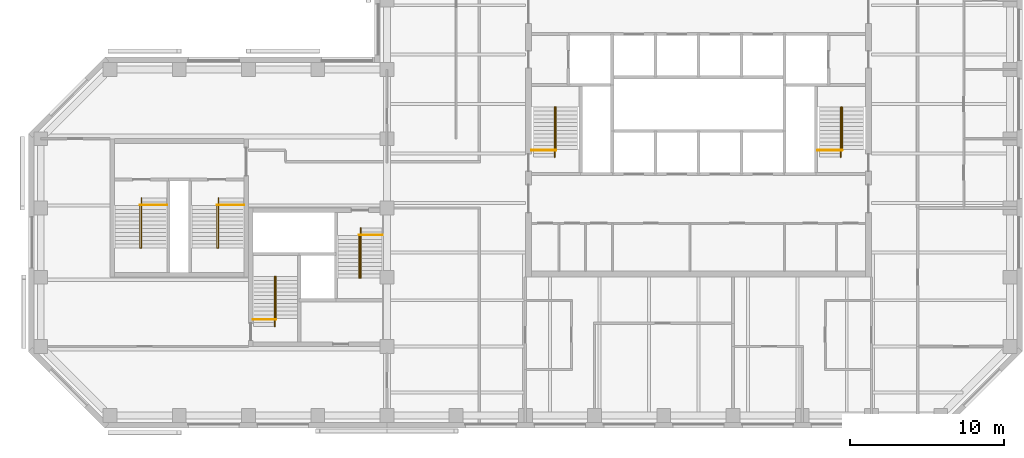
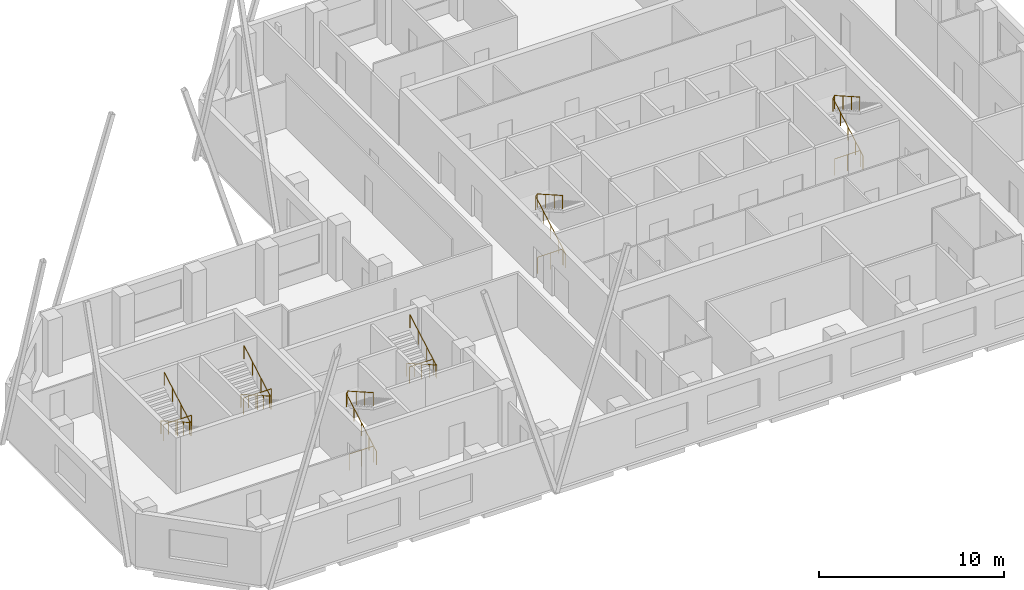
# One storey, part 9 of 9: 12 railings.
"""IFC4 building model written with IfcOpenShell, lengths in metres."""

from ifc_helpers import new_model, si_unit, direction, frame, origin, origin_2d, place, context, subcontext, project, spatial, circle, extrude, material, type_object, element, save


model = new_model("IFC4")

# Units and contexts
model_context = context("Model", 3, precision=1e-05, world=origin(), true_north=direction((0.0, 1.0)))
body_context = subcontext(model_context, "Body", "Model", "MODEL_VIEW")
ifc_project = project(units=[si_unit("LENGTHUNIT", "METRE"), si_unit("AREAUNIT", "SQUARE_METRE"), si_unit("VOLUMEUNIT", "CUBIC_METRE"), si_unit("PLANEANGLEUNIT", "RADIAN"), si_unit("MASSUNIT", "GRAM", prefix="KILO")], contexts=[model_context])

# Site, building, storey
site_placement = place(None, origin())
site = spatial("IfcSite", under=ifc_project, at=site_placement, CompositionType="ELEMENT")
building_placement = place(site_placement, origin())
building = spatial("IfcBuilding", under=site, at=building_placement, Name="Quoin Convention Tower", CompositionType="ELEMENT")
storey_placement = place(building_placement, frame((0.0, 0.0, 219.300048828125)))
storey = spatial("IfcBuildingStorey", under=building, at=storey_placement, Name="L57", CompositionType="ELEMENT", Elevation=219.300048828125)

# Railings
ifc_material = material(Name="Stainless steel", Category="steel")
railing_type_1 = type_object("IfcRailingType", Name="Stair handrail 900", PredefinedType="HANDRAIL", material=ifc_material)
railing_1_placement = place(storey_placement, frame((46.905029296875, 57.300048828125, 0.142333984375)))
element("IfcRailing", 1, at=railing_1_placement, inside=storey, type_object=railing_type_1, Name="SD1 handrail 1", PredefinedType="HANDRAIL", context=body_context, shape_type="SweptSolid", body=[
    extrude(circle(Radius=0.02392578125, at=origin_2d()), frame((0.0, 0.0, 0.8759765625), z_axis=(0.0, 0.869081571614, 0.494668800189), x_axis=(-1.0, 0.0, 0.0)), (0.0, 0.0, 1.0), 3.739501953125),
    extrude(circle(Radius=0.02392578125, at=origin_2d()), frame((0.0, 3.25, 2.7255859375), z_axis=(0.53481069233, 0.0, 0.844971906852), x_axis=(0.0, 1.0, 0.0)), (0.0, 0.0, 1.0), 0.16845703125),
    extrude(circle(Radius=0.02392578125, at=origin_2d()), frame((0.090087890625, 3.25, 2.8681640625), z_axis=(0.0, -0.869058607571, 0.494709143443), x_axis=(1.0, 0.0, 0.0)), (0.0, 0.0, 1.0), 3.164306640625),
    extrude(circle(Radius=0.02099609375, at=origin_2d()), origin(), (0.0, 0.0, 1.0), 0.851806640625),
    extrude(circle(Radius=0.02099609375, at=origin_2d()), frame((0.0, 0.8125, 0.46240234375)), (0.0, 0.0, 1.0), 0.851806640625),
    extrude(circle(Radius=0.02099609375, at=origin_2d()), frame((0.0, 1.625, 0.9248046875)), (0.0, 0.0, 1.0), 0.851806640625),
    extrude(circle(Radius=0.02099609375, at=origin_2d()), frame((0.0, 2.4375, 1.387451171875)), (0.0, 0.0, 1.0), 0.851806640625),
    extrude(circle(Radius=0.02099609375, at=origin_2d()), frame((0.0, 3.25, 1.849853515625)), (0.0, 0.0, 1.0), 0.851806640625),
    extrude(circle(Radius=0.02099609375, at=origin_2d()), frame((0.090087890625, 3.25, 1.9921875)), (0.0, 0.0, 1.0), 0.851806640625),
    extrude(circle(Radius=0.02099609375, at=origin_2d()), frame((0.090087890625, 2.333251953125, 2.513916015625)), (0.0, 0.0, 1.0), 0.851806640625),
    extrude(circle(Radius=0.02099609375, at=origin_2d()), frame((0.090087890625, 1.416748046875, 3.035888671875)), (0.0, 0.0, 1.0), 0.851806640625),
    extrude(circle(Radius=0.02099609375, at=origin_2d()), frame((0.090087890625, 0.5, 3.5576171875)), (0.0, 0.0, 1.0), 0.851806640625),
])
railing_2_placement = place(storey_placement, frame((65.5048828125, 57.300048828125, 0.142333984375)))
element("IfcRailing", 2, at=railing_2_placement, inside=storey, type_object=railing_type_1, Name="SD2 handrail 1", PredefinedType="HANDRAIL", context=body_context, shape_type="SweptSolid", body=[
    extrude(circle(Radius=0.02392578125, at=origin_2d()), frame((0.0, 0.0, 0.8759765625), z_axis=(0.0, 0.869081571614, 0.494668800189), x_axis=(-1.0, 0.0, 0.0)), (0.0, 0.0, 1.0), 3.739501953125),
    extrude(circle(Radius=0.02392578125, at=origin_2d()), frame((0.0, 3.25, 2.7255859375), z_axis=(0.53481069233, 0.0, 0.844971906852), x_axis=(0.0, 1.0, 0.0)), (0.0, 0.0, 1.0), 0.16845703125),
    extrude(circle(Radius=0.02392578125, at=origin_2d()), frame((0.090087890625, 3.25, 2.8681640625), z_axis=(0.0, -0.869058607571, 0.494709143443), x_axis=(1.0, 0.0, 0.0)), (0.0, 0.0, 1.0), 3.164306640625),
    extrude(circle(Radius=0.02099609375, at=origin_2d()), origin(), (0.0, 0.0, 1.0), 0.851806640625),
    extrude(circle(Radius=0.02099609375, at=origin_2d()), frame((0.0, 0.8125, 0.46240234375)), (0.0, 0.0, 1.0), 0.851806640625),
    extrude(circle(Radius=0.02099609375, at=origin_2d()), frame((0.0, 1.625, 0.9248046875)), (0.0, 0.0, 1.0), 0.851806640625),
    extrude(circle(Radius=0.02099609375, at=origin_2d()), frame((0.0, 2.4375, 1.387451171875)), (0.0, 0.0, 1.0), 0.851806640625),
    extrude(circle(Radius=0.02099609375, at=origin_2d()), frame((0.0, 3.25, 1.849853515625)), (0.0, 0.0, 1.0), 0.851806640625),
    extrude(circle(Radius=0.02099609375, at=origin_2d()), frame((0.090087890625, 3.25, 1.9921875)), (0.0, 0.0, 1.0), 0.851806640625),
    extrude(circle(Radius=0.02099609375, at=origin_2d()), frame((0.090087890625, 2.333251953125, 2.513916015625)), (0.0, 0.0, 1.0), 0.851806640625),
    extrude(circle(Radius=0.02099609375, at=origin_2d()), frame((0.090087890625, 1.416748046875, 3.035888671875)), (0.0, 0.0, 1.0), 0.851806640625),
    extrude(circle(Radius=0.02099609375, at=origin_2d()), frame((0.090087890625, 0.5, 3.5576171875)), (0.0, 0.0, 1.0), 0.851806640625),
])
railing_3_placement = place(storey_placement, frame((28.705078125, 46.300048828125, 0.142333984375)))
element("IfcRailing", 3, at=railing_3_placement, inside=storey, type_object=railing_type_1, Name="SD3 handrail 1", PredefinedType="HANDRAIL", context=body_context, shape_type="SweptSolid", body=[
    extrude(circle(Radius=0.02392578125, at=origin_2d()), frame((0.0, 0.0, 0.8759765625), z_axis=(0.0, 0.869081571614, 0.494668800189), x_axis=(-1.0, 0.0, 0.0)), (0.0, 0.0, 1.0), 3.739501953125),
    extrude(circle(Radius=0.02392578125, at=origin_2d()), frame((0.0, 3.25, 2.7255859375), z_axis=(0.533774684331, 0.0, 0.845626741753), x_axis=(0.0, 1.0, 0.0)), (0.0, 0.0, 1.0), 0.168212890625),
    extrude(circle(Radius=0.02392578125, at=origin_2d()), frame((0.08984375, 3.25, 2.8681640625), z_axis=(0.0, -0.869058607571, 0.494709143443), x_axis=(1.0, 0.0, 0.0)), (0.0, 0.0, 1.0), 3.164306640625),
    extrude(circle(Radius=0.02099609375, at=origin_2d()), origin(), (0.0, 0.0, 1.0), 0.851806640625),
    extrude(circle(Radius=0.02099609375, at=origin_2d()), frame((0.0, 0.8125, 0.46240234375)), (0.0, 0.0, 1.0), 0.851806640625),
    extrude(circle(Radius=0.02099609375, at=origin_2d()), frame((0.0, 1.625, 0.9248046875)), (0.0, 0.0, 1.0), 0.851806640625),
    extrude(circle(Radius=0.02099609375, at=origin_2d()), frame((0.0, 2.4375, 1.387451171875)), (0.0, 0.0, 1.0), 0.851806640625),
    extrude(circle(Radius=0.02099609375, at=origin_2d()), frame((0.0, 3.25, 1.849853515625)), (0.0, 0.0, 1.0), 0.851806640625),
    extrude(circle(Radius=0.02099609375, at=origin_2d()), frame((0.08984375, 3.25, 1.9921875)), (0.0, 0.0, 1.0), 0.851806640625),
    extrude(circle(Radius=0.02099609375, at=origin_2d()), frame((0.08984375, 2.333251953125, 2.513916015625)), (0.0, 0.0, 1.0), 0.851806640625),
    extrude(circle(Radius=0.02099609375, at=origin_2d()), frame((0.08984375, 1.416748046875, 3.035888671875)), (0.0, 0.0, 1.0), 0.851806640625),
    extrude(circle(Radius=0.02099609375, at=origin_2d()), frame((0.08984375, 0.5, 3.5576171875)), (0.0, 0.0, 1.0), 0.851806640625),
])
railing_4_placement = place(storey_placement, frame((34.294921875, 52.699951171875, 0.142333984375)))
element("IfcRailing", 4, at=railing_4_placement, inside=storey, type_object=railing_type_1, Name="SD4 handrail 1", PredefinedType="HANDRAIL", context=body_context, shape_type="SweptSolid", body=[
    extrude(circle(Radius=0.02392578125, at=origin_2d()), frame((0.0, 0.0, 0.8759765625), z_axis=(0.0, -0.869081571614, 0.494668800189), x_axis=(1.0, 0.0, 0.0)), (0.0, 0.0, 1.0), 3.739501953125),
    extrude(circle(Radius=0.02392578125, at=origin_2d()), frame((0.0, -3.25, 2.7255859375), z_axis=(-0.533774684331, 0.0, 0.845626741753), x_axis=(0.0, -1.0, 0.0)), (0.0, 0.0, 1.0), 0.168212890625),
    extrude(circle(Radius=0.02392578125, at=origin_2d()), frame((-0.08984375, -3.25, 2.8681640625), z_axis=(0.0, 0.869058607571, 0.494709143443), x_axis=(-1.0, 0.0, 0.0)), (0.0, 0.0, 1.0), 3.164306640625),
    extrude(circle(Radius=0.02099609375, at=origin_2d()), origin(), (0.0, 0.0, 1.0), 0.851806640625),
    extrude(circle(Radius=0.02099609375, at=origin_2d()), frame((0.0, -0.8125, 0.46240234375)), (0.0, 0.0, 1.0), 0.851806640625),
    extrude(circle(Radius=0.02099609375, at=origin_2d()), frame((0.0, -1.625, 0.9248046875)), (0.0, 0.0, 1.0), 0.851806640625),
    extrude(circle(Radius=0.02099609375, at=origin_2d()), frame((0.0, -2.4375, 1.387451171875)), (0.0, 0.0, 1.0), 0.851806640625),
    extrude(circle(Radius=0.02099609375, at=origin_2d()), frame((0.0, -3.25, 1.849853515625)), (0.0, 0.0, 1.0), 0.851806640625),
    extrude(circle(Radius=0.02099609375, at=origin_2d()), frame((-0.08984375, -3.25, 1.9921875)), (0.0, 0.0, 1.0), 0.851806640625),
    extrude(circle(Radius=0.02099609375, at=origin_2d()), frame((-0.08984375, -2.333251953125, 2.513916015625)), (0.0, 0.0, 1.0), 0.851806640625),
    extrude(circle(Radius=0.02099609375, at=origin_2d()), frame((-0.08984375, -1.416748046875, 3.035888671875)), (0.0, 0.0, 1.0), 0.851806640625),
    extrude(circle(Radius=0.02099609375, at=origin_2d()), frame((-0.08984375, -0.5, 3.5576171875)), (0.0, 0.0, 1.0), 0.851806640625),
])
railing_5_placement = place(storey_placement, frame((20.044921875, 54.64990234375, 0.142333984375)))
element("IfcRailing", 5, at=railing_5_placement, inside=storey, type_object=railing_type_1, Name="SD11 handrail 1", PredefinedType="HANDRAIL", context=body_context, shape_type="SweptSolid", body=[
    extrude(circle(Radius=0.02392578125, at=origin_2d()), frame((0.0, 0.0, 0.8759765625), z_axis=(0.0, -0.869081571614, 0.494668800189), x_axis=(1.0, 0.0, 0.0)), (0.0, 0.0, 1.0), 3.739501953125),
    extrude(circle(Radius=0.02392578125, at=origin_2d()), frame((0.0, -3.25, 2.7255859375), z_axis=(-0.533774684331, 0.0, 0.845626741753), x_axis=(0.0, -1.0, 0.0)), (0.0, 0.0, 1.0), 0.168212890625),
    extrude(circle(Radius=0.02392578125, at=origin_2d()), frame((-0.08984375, -3.25, 2.8681640625), z_axis=(0.0, 0.869058607571, 0.494709143443), x_axis=(-1.0, 0.0, 0.0)), (0.0, 0.0, 1.0), 3.164306640625),
    extrude(circle(Radius=0.02099609375, at=origin_2d()), origin(), (0.0, 0.0, 1.0), 0.851806640625),
    extrude(circle(Radius=0.02099609375, at=origin_2d()), frame((0.0, -0.8125, 0.46240234375)), (0.0, 0.0, 1.0), 0.851806640625),
    extrude(circle(Radius=0.02099609375, at=origin_2d()), frame((0.0, -1.625, 0.9248046875)), (0.0, 0.0, 1.0), 0.851806640625),
    extrude(circle(Radius=0.02099609375, at=origin_2d()), frame((0.0, -2.4375, 1.387451171875)), (0.0, 0.0, 1.0), 0.851806640625),
    extrude(circle(Radius=0.02099609375, at=origin_2d()), frame((0.0, -3.25, 1.849853515625)), (0.0, 0.0, 1.0), 0.851806640625),
    extrude(circle(Radius=0.02099609375, at=origin_2d()), frame((-0.08984375, -3.25, 1.9921875)), (0.0, 0.0, 1.0), 0.851806640625),
    extrude(circle(Radius=0.02099609375, at=origin_2d()), frame((-0.08984375, -2.333251953125, 2.513916015625)), (0.0, 0.0, 1.0), 0.851806640625),
    extrude(circle(Radius=0.02099609375, at=origin_2d()), frame((-0.08984375, -1.416748046875, 3.035888671875)), (0.0, 0.0, 1.0), 0.851806640625),
    extrude(circle(Radius=0.02099609375, at=origin_2d()), frame((-0.08984375, -0.5, 3.5576171875)), (0.0, 0.0, 1.0), 0.851806640625),
])
railing_6_placement = place(storey_placement, frame((25.044921875, 54.64990234375, 0.142333984375)))
element("IfcRailing", 6, at=railing_6_placement, inside=storey, type_object=railing_type_1, Name="SD12 handrail 1", PredefinedType="HANDRAIL", context=body_context, shape_type="SweptSolid", body=[
    extrude(circle(Radius=0.02392578125, at=origin_2d()), frame((0.0, 0.0, 0.8759765625), z_axis=(0.0, -0.869081571614, 0.494668800189), x_axis=(1.0, 0.0, 0.0)), (0.0, 0.0, 1.0), 3.739501953125),
    extrude(circle(Radius=0.02392578125, at=origin_2d()), frame((0.0, -3.25, 2.7255859375), z_axis=(-0.533774684331, 0.0, 0.845626741753), x_axis=(0.0, -1.0, 0.0)), (0.0, 0.0, 1.0), 0.168212890625),
    extrude(circle(Radius=0.02392578125, at=origin_2d()), frame((-0.08984375, -3.25, 2.8681640625), z_axis=(0.0, 0.869058607571, 0.494709143443), x_axis=(-1.0, 0.0, 0.0)), (0.0, 0.0, 1.0), 3.164306640625),
    extrude(circle(Radius=0.02099609375, at=origin_2d()), origin(), (0.0, 0.0, 1.0), 0.851806640625),
    extrude(circle(Radius=0.02099609375, at=origin_2d()), frame((0.0, -0.8125, 0.46240234375)), (0.0, 0.0, 1.0), 0.851806640625),
    extrude(circle(Radius=0.02099609375, at=origin_2d()), frame((0.0, -1.625, 0.9248046875)), (0.0, 0.0, 1.0), 0.851806640625),
    extrude(circle(Radius=0.02099609375, at=origin_2d()), frame((0.0, -2.4375, 1.387451171875)), (0.0, 0.0, 1.0), 0.851806640625),
    extrude(circle(Radius=0.02099609375, at=origin_2d()), frame((0.0, -3.25, 1.849853515625)), (0.0, 0.0, 1.0), 0.851806640625),
    extrude(circle(Radius=0.02099609375, at=origin_2d()), frame((-0.08984375, -3.25, 1.9921875)), (0.0, 0.0, 1.0), 0.851806640625),
    extrude(circle(Radius=0.02099609375, at=origin_2d()), frame((-0.08984375, -2.333251953125, 2.513916015625)), (0.0, 0.0, 1.0), 0.851806640625),
    extrude(circle(Radius=0.02099609375, at=origin_2d()), frame((-0.08984375, -1.416748046875, 3.035888671875)), (0.0, 0.0, 1.0), 0.851806640625),
    extrude(circle(Radius=0.02099609375, at=origin_2d()), frame((-0.08984375, -0.5, 3.5576171875)), (0.0, 0.0, 1.0), 0.851806640625),
])
railing_type_2 = type_object("IfcRailingType", Name="Stair top guard 1100", PredefinedType="GUARDRAIL", material=ifc_material)
railing_7_placement = place(storey_placement, frame((45.39990234375, 57.75, 0.0)))
element("IfcRailing", 7, at=railing_7_placement, inside=storey, type_object=railing_type_2, Name="SD1 top guard", PredefinedType="GUARDRAIL", context=body_context, shape_type="SweptSolid", body=[
    extrude(circle(Radius=0.02392578125, at=origin_2d()), frame((0.0, 0.0, 1.076171875), z_axis=(1.0, 0.0, 0.0), x_axis=(0.0, 1.0, 0.0)), (0.0, 0.0, 1.0), 1.59521484375),
    extrude(circle(Radius=0.02099609375, at=origin_2d()), origin(), (0.0, 0.0, 1.0), 1.052001953125),
    extrude(circle(Radius=0.02099609375, at=origin_2d()), frame((0.797607421875, 0.0, 0.0)), (0.0, 0.0, 1.0), 1.052001953125),
    extrude(circle(Radius=0.02099609375, at=origin_2d()), frame((1.59521484375, 0.0, 0.0)), (0.0, 0.0, 1.0), 1.052001953125),
])
railing_8_placement = place(storey_placement, frame((64.0, 57.75, 0.0)))
element("IfcRailing", 8, at=railing_8_placement, inside=storey, type_object=railing_type_2, Name="SD2 top guard", PredefinedType="GUARDRAIL", context=body_context, shape_type="SweptSolid", body=[
    extrude(circle(Radius=0.02392578125, at=origin_2d()), frame((0.0, 0.0, 1.076171875), z_axis=(1.0, 0.0, 0.0), x_axis=(0.0, 1.0, 0.0)), (0.0, 0.0, 1.0), 1.594970703125),
    extrude(circle(Radius=0.02099609375, at=origin_2d()), origin(), (0.0, 0.0, 1.0), 1.052001953125),
    extrude(circle(Radius=0.02099609375, at=origin_2d()), frame((0.79736328125, 0.0, 0.0)), (0.0, 0.0, 1.0), 1.052001953125),
    extrude(circle(Radius=0.02099609375, at=origin_2d()), frame((1.594970703125, 0.0, 0.0)), (0.0, 0.0, 1.0), 1.052001953125),
])
railing_9_placement = place(storey_placement, frame((27.300048828125, 46.75, 0.0)))
element("IfcRailing", 9, at=railing_9_placement, inside=storey, type_object=railing_type_2, Name="SD3 top guard", PredefinedType="GUARDRAIL", context=body_context, shape_type="SweptSolid", body=[
    extrude(circle(Radius=0.02392578125, at=origin_2d()), frame((0.0, 0.0, 1.076171875), z_axis=(1.0, 0.0, 0.0), x_axis=(0.0, 1.0, 0.0)), (0.0, 0.0, 1.0), 1.494873046875),
    extrude(circle(Radius=0.02099609375, at=origin_2d()), origin(), (0.0, 0.0, 1.0), 1.052001953125),
    extrude(circle(Radius=0.02099609375, at=origin_2d()), frame((0.74755859375, 0.0, 0.0)), (0.0, 0.0, 1.0), 1.052001953125),
    extrude(circle(Radius=0.02099609375, at=origin_2d()), frame((1.494873046875, 0.0, 0.0)), (0.0, 0.0, 1.0), 1.052001953125),
])
railing_10_placement = place(storey_placement, frame((35.699951171875, 52.25, 0.0)))
element("IfcRailing", 10, at=railing_10_placement, inside=storey, type_object=railing_type_2, Name="SD4 top guard", PredefinedType="GUARDRAIL", context=body_context, shape_type="SweptSolid", body=[
    extrude(circle(Radius=0.02392578125, at=origin_2d()), frame((0.0, 0.0, 1.076171875), z_axis=(-1.0, 0.0, 0.0), x_axis=(0.0, -1.0, 0.0)), (0.0, 0.0, 1.0), 1.494873046875),
    extrude(circle(Radius=0.02099609375, at=origin_2d()), origin(), (0.0, 0.0, 1.0), 1.052001953125),
    extrude(circle(Radius=0.02099609375, at=origin_2d()), frame((-0.74755859375, 0.0, 0.0)), (0.0, 0.0, 1.0), 1.052001953125),
    extrude(circle(Radius=0.02099609375, at=origin_2d()), frame((-1.494873046875, 0.0, 0.0)), (0.0, 0.0, 1.0), 1.052001953125),
])
for number, where, name in (
    (11, (21.699951171875, 54.199951171875, 0.0), "SD11 top guard"),
    (12, (26.699951171875, 54.199951171875, 0.0), "SD12 top guard"),
):
    element("IfcRailing", number, at=place(storey_placement, frame(where)), inside=storey, type_object=railing_type_2, Name=name, PredefinedType="GUARDRAIL", context=body_context, shape_type="SweptSolid", body=[
        extrude(circle(Radius=0.02392578125, at=origin_2d()), frame((0.0, 0.0, 1.076171875), z_axis=(-1.0, 0.0, 0.0), x_axis=(0.0, -1.0, 0.0)), (0.0, 0.0, 1.0), 1.744873046875),
        extrude(circle(Radius=0.02099609375, at=origin_2d()), origin(), (0.0, 0.0, 1.0), 1.052001953125),
        extrude(circle(Radius=0.02099609375, at=origin_2d()), frame((-0.87255859375, 0.0, 0.0)), (0.0, 0.0, 1.0), 1.052001953125),
        extrude(circle(Radius=0.02099609375, at=origin_2d()), frame((-1.744873046875, 0.0, 0.0)), (0.0, 0.0, 1.0), 1.052001953125),
    ])

save(model, "model.ifc")
